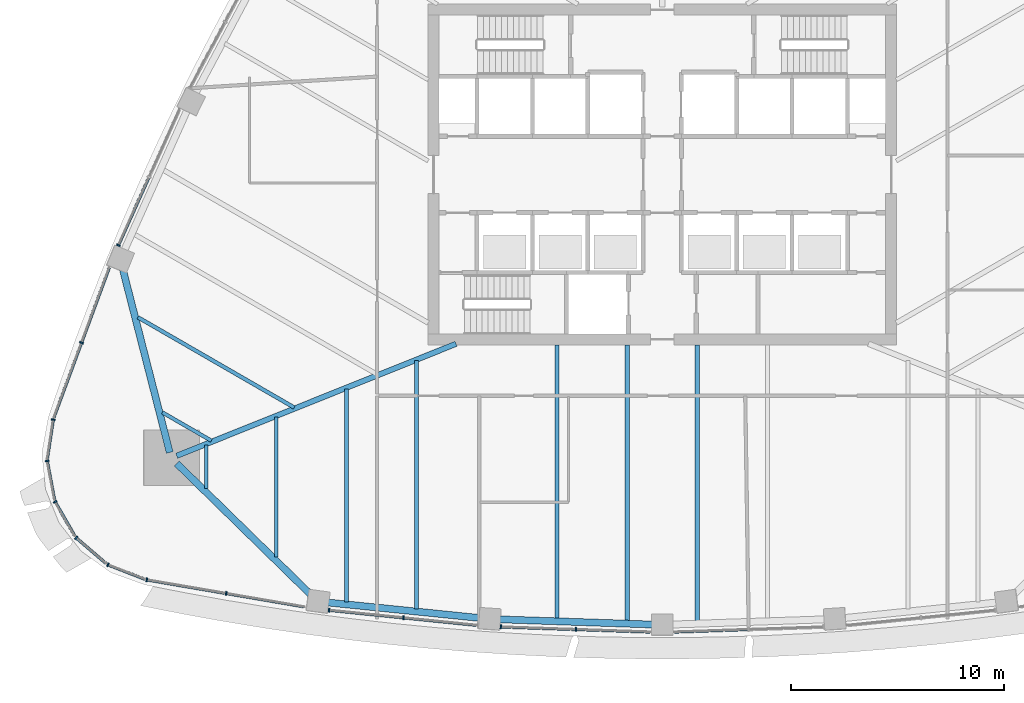
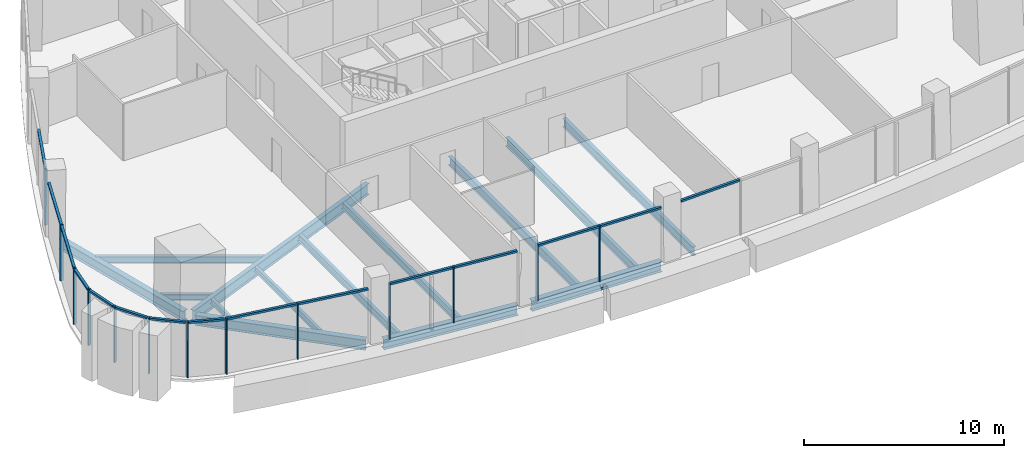
# One storey, part 2 of 16: 28 members, 14 beams, 11 elements without a shape of their own.
"""IFC4 building model written with IfcOpenShell, lengths in metres."""

from ifc_helpers import new_model, si_unit, direction, frame, origin, origin_2d, place, context, subcontext, project, spatial, rectangle, i_section, extrude, material, layer, layer_set, material_profile, profile_set, type_object, element, aggregate, save


model = new_model("IFC4")

# Units and contexts
model_context = context("Model", 3, precision=1e-05, world=origin(), true_north=direction((0.0, 1.0)))
body_context = subcontext(model_context, "Body", "Model", "MODEL_VIEW")
ifc_project = project(units=[si_unit("LENGTHUNIT", "METRE"), si_unit("AREAUNIT", "SQUARE_METRE"), si_unit("VOLUMEUNIT", "CUBIC_METRE"), si_unit("PLANEANGLEUNIT", "RADIAN"), si_unit("MASSUNIT", "GRAM", prefix="KILO")], contexts=[model_context])

# Site, building, storey
site_placement = place(None, origin())
site = spatial("IfcSite", under=ifc_project, at=site_placement, CompositionType="ELEMENT")
building_placement = place(site_placement, origin())
building = spatial("IfcBuilding", under=site, at=building_placement, Name="Sierra Prisma Convention Tower", CompositionType="ELEMENT")
storey_placement = place(building_placement, frame((0.0, 0.0, 197.800048828125)))
storey = spatial("IfcBuildingStorey", under=building, at=storey_placement, Name="L44", CompositionType="ELEMENT", Elevation=197.800048828125)

# Curtain wall, members
ifc_material_1 = material(Name="Aluminium and glass curtain wall", Category="aluminium")
ifc_layer = layer(ifc_material_1, 0.179931640625)
ifc_layer_set = layer_set([ifc_layer], Name="CW-1 Plain shaft curtain wall")
curtain_wall_type = type_object("IfcCurtainWallType", Name="CW-1 Plain shaft curtain wall", PredefinedType="NOTDEFINED", material=ifc_layer_set)
curtain_wall_1_placement = place(storey_placement, origin())
curtain_wall_1 = element("IfcCurtainWall", 1, at=curtain_wall_1_placement, inside=storey, type_object=curtain_wall_type, Name="CW-1 S1 L44", PredefinedType="NOTDEFINED")
ifc_material_2 = material(Name="Aluminium 6063-T6 bronze anodised", Category="aluminium")
ifc_material_profile_1 = material_profile(ifc_material_2, rectangle(XDim=0.179931640625, YDim=0.070068359375, at=origin_2d()), Name="ALU MULLION 70x180")
ifc_profile_set_1 = profile_set([ifc_material_profile_1], Name="Aluminium 6063-T6 bronze anodised")
member_type_1 = type_object("IfcMemberType", Name="CW mullion bronze", PredefinedType="MULLION", material=ifc_profile_set_1)
member_1_placement = place(storey_placement, frame((-24.21923828125, -19.043701171875, 0.0), z_axis=(0.0, 0.0, 1.0), x_axis=(0.168686984713, 0.985669671436, 0.0)))
member_1 = element("IfcMember", 2, at=member_1_placement, type_object=member_type_1, Name="CW-1 mullion S1.1", PredefinedType="MULLION", context=body_context, shape_type="SweptSolid", body=[
    extrude(rectangle(XDim=0.179931640625, YDim=0.070068359375, at=origin_2d()), origin(), (0.0, 0.0, 1.0), 3.39990234375),
])
member_2_placement = place(storey_placement, frame((-20.489013671875, -19.68212890625, 0.0), z_axis=(0.0, 0.0, 1.0), x_axis=(0.168686984713, 0.985669671436, 0.0)))
member_2 = element("IfcMember", 3, at=member_2_placement, type_object=member_type_1, Name="CW-1 mullion S1.2", PredefinedType="MULLION", context=body_context, shape_type="SweptSolid", body=[
    extrude(rectangle(XDim=0.179931640625, YDim=0.070068359375, at=origin_2d()), origin(), (0.0, 0.0, 1.0), 3.39990234375),
])

curtain_wall_2_placement = place(storey_placement, origin())
curtain_wall_2 = element("IfcCurtainWall", 4, at=curtain_wall_2_placement, inside=storey, type_object=curtain_wall_type, Name="CW-1 S2 L44", PredefinedType="NOTDEFINED")
member_3_placement = place(storey_placement, frame((-15.65478515625, -20.469482421875, 0.0), z_axis=(0.0, 0.0, 1.0), x_axis=(0.101523233919, 0.994833168413, 0.0)))
member_3 = element("IfcMember", 5, at=member_3_placement, type_object=member_type_1, Name="CW-1 mullion S2.1", PredefinedType="MULLION", context=body_context, shape_type="SweptSolid", body=[
    extrude(rectangle(XDim=0.179931640625, YDim=0.070068359375, at=origin_2d()), origin(), (0.0, 0.0, 1.0), 3.39990234375),
])
member_4_placement = place(storey_placement, frame((-12.16064453125, -20.826171875, 0.0), z_axis=(0.0, 0.0, 1.0), x_axis=(0.101523233919, 0.994833168413, 0.0)))
member_4 = element("IfcMember", 6, at=member_4_placement, type_object=member_type_1, Name="CW-1 mullion S2.2", PredefinedType="MULLION", context=body_context, shape_type="SweptSolid", body=[
    extrude(rectangle(XDim=0.179931640625, YDim=0.070068359375, at=origin_2d()), origin(), (0.0, 0.0, 1.0), 3.39990234375),
])

curtain_wall_3_placement = place(storey_placement, origin())
curtain_wall_3 = element("IfcCurtainWall", 7, at=curtain_wall_3_placement, inside=storey, type_object=curtain_wall_type, Name="CW-1 S3 L44", PredefinedType="NOTDEFINED")
member_5_placement = place(storey_placement, frame((-7.587158203125, -21.255615234375, 0.0), z_axis=(0.0, 0.0, 1.0), x_axis=(0.033892990048, 0.999425467569, 0.0)))
member_5 = element("IfcMember", 8, at=member_5_placement, type_object=member_type_1, Name="CW-1 mullion S3.1", PredefinedType="MULLION", context=body_context, shape_type="SweptSolid", body=[
    extrude(rectangle(XDim=0.179931640625, YDim=0.070068359375, at=origin_2d()), origin(), (0.0, 0.0, 1.0), 3.39990234375),
])
member_6_placement = place(storey_placement, frame((-4.06103515625, -21.375244140625, 0.0), z_axis=(0.0, 0.0, 1.0), x_axis=(0.033892990048, 0.999425467569, 0.0)))
member_6 = element("IfcMember", 9, at=member_6_placement, type_object=member_type_1, Name="CW-1 mullion S3.2", PredefinedType="MULLION", context=body_context, shape_type="SweptSolid", body=[
    extrude(rectangle(XDim=0.179931640625, YDim=0.070068359375, at=origin_2d()), origin(), (0.0, 0.0, 1.0), 3.39990234375),
])

# Curtain wall, member
curtain_wall_4_placement = place(storey_placement, origin())
curtain_wall_4 = element("IfcCurtainWall", 10, at=curtain_wall_4_placement, inside=storey, type_object=curtain_wall_type, Name="CW-1 NW5 L44", PredefinedType="NOTDEFINED")
member_7_placement = place(storey_placement, frame((-25.5546875, -3.32275390625, 0.0), z_axis=(0.0, 0.0, 1.0), x_axis=(0.912312413332, -0.409494884559, 0.0)))
member_7 = element("IfcMember", 11, at=member_7_placement, type_object=member_type_1, Name="CW-1 mullion NW5.3", PredefinedType="MULLION", context=body_context, shape_type="SweptSolid", body=[
    extrude(rectangle(XDim=0.179931640625, YDim=0.070068359375, at=origin_2d()), origin(), (0.0, 0.0, 1.0), 3.39990234375),
])

curtain_wall_5_placement = place(storey_placement, origin())
curtain_wall_5 = element("IfcCurtainWall", 12, at=curtain_wall_5_placement, inside=storey, type_object=curtain_wall_type, Name="CW-1 NW6 L44", PredefinedType="NOTDEFINED")
member_8_placement = place(storey_placement, frame((-27.28955078125, -7.90283203125, 0.0), z_axis=(0.0, 0.0, 1.0), x_axis=(0.93795846756, -0.346747621669, 0.0)))
member_8 = element("IfcMember", 13, at=member_8_placement, type_object=member_type_1, Name="CW-1 mullion NW6.2", PredefinedType="MULLION", context=body_context, shape_type="SweptSolid", body=[
    extrude(rectangle(XDim=0.179931640625, YDim=0.070068359375, at=origin_2d()), origin(), (0.0, 0.0, 1.0), 3.39990234375),
])

curtain_wall_6_placement = place(storey_placement, origin())
curtain_wall_6 = element("IfcCurtainWall", 14, at=curtain_wall_6_placement, inside=storey, type_object=curtain_wall_type, Name="CW-1 SW1 L44", PredefinedType="NOTDEFINED")
member_9_placement = place(storey_placement, frame((-28.619384765625, -11.52001953125, 0.0), z_axis=(0.0, 0.0, 1.0), x_axis=(0.988554597967, -0.150863537142, 0.0)))
member_9 = element("IfcMember", 15, at=member_9_placement, type_object=member_type_1, Name="CW-1 mullion SW1.1", PredefinedType="MULLION", context=body_context, shape_type="SweptSolid", body=[
    extrude(rectangle(XDim=0.179931640625, YDim=0.070068359375, at=origin_2d()), origin(), (0.0, 0.0, 1.0), 3.39990234375),
])

curtain_wall_7_placement = place(storey_placement, origin())
curtain_wall_7 = element("IfcCurtainWall", 16, at=curtain_wall_7_placement, inside=storey, type_object=curtain_wall_type, Name="CW-1 SW2 L44", PredefinedType="NOTDEFINED")
member_10_placement = place(storey_placement, frame((-28.9033203125, -13.457763671875, 0.0), z_axis=(0.0, 0.0, 1.0), x_axis=(0.982737290286, 0.185006535779, 0.0)))
member_10 = element("IfcMember", 17, at=member_10_placement, type_object=member_type_1, Name="CW-1 mullion SW2.1", PredefinedType="MULLION", context=body_context, shape_type="SweptSolid", body=[
    extrude(rectangle(XDim=0.179931640625, YDim=0.070068359375, at=origin_2d()), origin(), (0.0, 0.0, 1.0), 3.39990234375),
])

curtain_wall_8_placement = place(storey_placement, origin())
curtain_wall_8 = element("IfcCurtainWall", 18, at=curtain_wall_8_placement, inside=storey, type_object=curtain_wall_type, Name="CW-1 SW3 L44", PredefinedType="NOTDEFINED")
member_11_placement = place(storey_placement, frame((-28.529541015625, -15.380126953125, 0.0), z_axis=(0.0, 0.0, 1.0), x_axis=(0.866025403784, 0.5, 0.0)))
member_11 = element("IfcMember", 19, at=member_11_placement, type_object=member_type_1, Name="CW-1 mullion SW3.1", PredefinedType="MULLION", context=body_context, shape_type="SweptSolid", body=[
    extrude(rectangle(XDim=0.179931640625, YDim=0.070068359375, at=origin_2d()), origin(), (0.0, 0.0, 1.0), 3.39990234375),
])

curtain_wall_9_placement = place(storey_placement, origin())
curtain_wall_9 = element("IfcCurtainWall", 20, at=curtain_wall_9_placement, inside=storey, type_object=curtain_wall_type, Name="CW-1 SW4 L44", PredefinedType="NOTDEFINED")
member_12_placement = place(storey_placement, frame((-27.540283203125, -17.0703125, 0.0), z_axis=(0.0, 0.0, 1.0), x_axis=(0.651589004994, 0.758572190744, 0.0)))
member_12 = element("IfcMember", 21, at=member_12_placement, type_object=member_type_1, Name="CW-1 mullion SW4.1", PredefinedType="MULLION", context=body_context, shape_type="SweptSolid", body=[
    extrude(rectangle(XDim=0.179931640625, YDim=0.070068359375, at=origin_2d()), origin(), (0.0, 0.0, 1.0), 3.39990234375),
])

curtain_wall_10_placement = place(storey_placement, origin())
curtain_wall_10 = element("IfcCurtainWall", 22, at=curtain_wall_10_placement, inside=storey, type_object=curtain_wall_type, Name="CW-1 SW5 L44", PredefinedType="NOTDEFINED")
member_13_placement = place(storey_placement, frame((-26.04736328125, -18.337646484375, 0.0), z_axis=(0.0, 0.0, 1.0), x_axis=(0.363625643314, 0.931545163438, 0.0)))
member_13 = element("IfcMember", 23, at=member_13_placement, type_object=member_type_1, Name="CW-1 mullion SW5.1", PredefinedType="MULLION", context=body_context, shape_type="SweptSolid", body=[
    extrude(rectangle(XDim=0.179931640625, YDim=0.070068359375, at=origin_2d()), origin(), (0.0, 0.0, 1.0), 3.39990234375),
])

# Member
ifc_material_3 = material(Name="Aluminium 6063-T6 bronze anodised", Category="aluminium")
ifc_material_profile_2 = material_profile(ifc_material_3, rectangle(XDim=0.139892578125, YDim=0.1201171875, at=origin_2d()), Name="ALU TRANSOM 120x140")
ifc_profile_set_2 = profile_set([ifc_material_profile_2], Name="Aluminium 6063-T6 bronze anodised")
member_type_2 = type_object("IfcMemberType", Name="CW transom bronze", PredefinedType="USERDEFINED", material=ifc_profile_set_2)
member_14_placement = place(storey_placement, frame((-24.184814453125, -19.049560546875, 3.33984375), z_axis=(0.985665066309, -0.168713891126, 0.0), x_axis=(0.168713891126, 0.985665066309, 0.0)))
member_14 = element("IfcMember", 24, at=member_14_placement, type_object=member_type_2, Name="CW-1 transom S1.1", ObjectType="TRANSOM", PredefinedType="USERDEFINED", context=body_context, shape_type="SweptSolid", body=[
    extrude(rectangle(XDim=0.139892578125, YDim=0.1201171875, at=origin_2d()), origin(), (0.0, 0.0, 1.0), 3.714599609375),
])

member_15_placement = place(storey_placement, frame((-20.45458984375, -19.68798828125, 3.33984375), z_axis=(0.985675993984, -0.168650036712, 0.0), x_axis=(0.168650036712, 0.985675993984, 0.0)))
member_15 = element("IfcMember", 25, at=member_15_placement, type_object=member_type_2, Name="CW-1 transom S1.2", ObjectType="TRANSOM", PredefinedType="USERDEFINED", context=body_context, shape_type="SweptSolid", body=[
    extrude(rectangle(XDim=0.139892578125, YDim=0.1201171875, at=origin_2d()), origin(), (0.0, 0.0, 1.0), 3.714599609375),
])

aggregate(curtain_wall_1, [member_1, member_2, member_14, member_15])

member_16_placement = place(storey_placement, frame((-15.6201171875, -20.47314453125, 3.33984375), z_axis=(0.99483648103, -0.101490768115, 0.0), x_axis=(0.101490768115, 0.99483648103, 0.0)))
member_16 = element("IfcMember", 26, at=member_16_placement, type_object=member_type_2, Name="CW-1 transom S2.1", ObjectType="TRANSOM", PredefinedType="USERDEFINED", context=body_context, shape_type="SweptSolid", body=[
    extrude(rectangle(XDim=0.139892578125, YDim=0.1201171875, at=origin_2d()), origin(), (0.0, 0.0, 1.0), 3.4423828125),
])

member_17_placement = place(storey_placement, frame((-12.1259765625, -20.82958984375, 3.33984375), z_axis=(0.994829317746, -0.101560959793, 0.0), x_axis=(0.101560959793, 0.994829317746, 0.0)))
member_17 = element("IfcMember", 27, at=member_17_placement, type_object=member_type_2, Name="CW-1 transom S2.2", ObjectType="TRANSOM", PredefinedType="USERDEFINED", context=body_context, shape_type="SweptSolid", body=[
    extrude(rectangle(XDim=0.139892578125, YDim=0.1201171875, at=origin_2d()), origin(), (0.0, 0.0, 1.0), 3.4423828125),
])

aggregate(curtain_wall_2, [member_3, member_4, member_16, member_17])

member_18_placement = place(storey_placement, frame((-7.55224609375, -21.2568359375, 3.33984375), z_axis=(0.999425704029, -0.033886016666, 0.0), x_axis=(0.033886016666, 0.999425704029, 0.0)))
member_18 = element("IfcMember", 28, at=member_18_placement, type_object=member_type_2, Name="CW-1 transom S3.1", ObjectType="TRANSOM", PredefinedType="USERDEFINED", context=body_context, shape_type="SweptSolid", body=[
    extrude(rectangle(XDim=0.139892578125, YDim=0.1201171875, at=origin_2d()), origin(), (0.0, 0.0, 1.0), 3.458251953125),
])

member_19_placement = place(storey_placement, frame((-4.02587890625, -21.376220703125, 3.33984375), z_axis=(0.999423310709, -0.033956531218, 0.0), x_axis=(0.033956531218, 0.999423310709, 0.0)))
member_19 = element("IfcMember", 29, at=member_19_placement, type_object=member_type_2, Name="CW-1 transom S3.2", ObjectType="TRANSOM", PredefinedType="USERDEFINED", context=body_context, shape_type="SweptSolid", body=[
    extrude(rectangle(XDim=0.139892578125, YDim=0.1201171875, at=origin_2d()), origin(), (0.0, 0.0, 1.0), 3.458251953125),
])

aggregate(curtain_wall_3, [member_5, member_6, member_18, member_19])

# Curtain wall, member
curtain_wall_11_placement = place(storey_placement, origin())
curtain_wall_11 = element("IfcCurtainWall", 30, at=curtain_wall_11_placement, inside=storey, type_object=curtain_wall_type, Name="CW-1 S4 L44", PredefinedType="NOTDEFINED")
member_20_placement = place(storey_placement, frame((0.569580078125, -21.49365234375, 3.33984375), z_axis=(0.999423310709, 0.033956531218, 0.0), x_axis=(-0.033956531218, 0.999423310709, 0.0)))
member_20 = element("IfcMember", 31, at=member_20_placement, type_object=member_type_2, Name="CW-1 transom S4.1", ObjectType="TRANSOM", PredefinedType="USERDEFINED", context=body_context, shape_type="SweptSolid", body=[
    extrude(rectangle(XDim=0.139892578125, YDim=0.1201171875, at=origin_2d()), origin(), (0.0, 0.0, 1.0), 3.458251953125),
])
aggregate(curtain_wall_11, [member_20])

# Member
member_21_placement = place(storey_placement, frame((-24.130615234375, -0.150390625, 3.33984375), z_axis=(-0.409518124924, -0.912301981451, 0.0), x_axis=(0.912301981451, -0.409518124924, 0.0)))
member_21 = element("IfcMember", 32, at=member_21_placement, type_object=member_type_2, Name="CW-1 transom NW5.2", ObjectType="TRANSOM", PredefinedType="USERDEFINED", context=body_context, shape_type="SweptSolid", body=[
    extrude(rectangle(XDim=0.139892578125, YDim=0.1201171875, at=origin_2d()), origin(), (0.0, 0.0, 1.0), 3.442138671875),
])

aggregate(curtain_wall_4, [member_7, member_21])

member_22_placement = place(storey_placement, frame((-25.989501953125, -4.385986328125, 3.33984375), z_axis=(-0.346762020219, -0.93795314453, 0.0), x_axis=(0.93795314453, -0.346762020219, 0.0)))
member_22 = element("IfcMember", 33, at=member_22_placement, type_object=member_type_2, Name="CW-1 transom NW6.1", ObjectType="TRANSOM", PredefinedType="USERDEFINED", context=body_context, shape_type="SweptSolid", body=[
    extrude(rectangle(XDim=0.139892578125, YDim=0.1201171875, at=origin_2d()), origin(), (0.0, 0.0, 1.0), 3.714599609375),
])

member_23_placement = place(storey_placement, frame((-27.3017578125, -7.935791015625, 3.33984375), z_axis=(-0.346762020219, -0.93795314453, 0.0), x_axis=(0.93795314453, -0.346762020219, 0.0)))
member_23 = element("IfcMember", 34, at=member_23_placement, type_object=member_type_2, Name="CW-1 transom NW6.2", ObjectType="TRANSOM", PredefinedType="USERDEFINED", context=body_context, shape_type="SweptSolid", body=[
    extrude(rectangle(XDim=0.139892578125, YDim=0.1201171875, at=origin_2d()), origin(), (0.0, 0.0, 1.0), 3.714599609375),
])

aggregate(curtain_wall_5, [member_8, member_22, member_23])

member_24_placement = place(storey_placement, frame((-28.62451171875, -11.5546875, 3.33984375), z_axis=(-0.150877960427, -0.988552396718, 0.0), x_axis=(0.988552396718, -0.150877960427, 0.0)))
member_24 = element("IfcMember", 35, at=member_24_placement, type_object=member_type_2, Name="CW-1 transom SW1.1", ObjectType="TRANSOM", PredefinedType="USERDEFINED", context=body_context, shape_type="SweptSolid", body=[
    extrude(rectangle(XDim=0.139892578125, YDim=0.1201171875, at=origin_2d()), origin(), (0.0, 0.0, 1.0), 1.8203125),
])

aggregate(curtain_wall_6, [member_9, member_24])

member_25_placement = place(storey_placement, frame((-28.896728515625, -13.4921875, 3.33984375), z_axis=(0.184960643597, -0.982745928671, 0.0), x_axis=(0.982745928671, 0.184960643597, 0.0)))
member_25 = element("IfcMember", 36, at=member_25_placement, type_object=member_type_2, Name="CW-1 transom SW2.1", ObjectType="TRANSOM", PredefinedType="USERDEFINED", context=body_context, shape_type="SweptSolid", body=[
    extrude(rectangle(XDim=0.139892578125, YDim=0.1201171875, at=origin_2d()), origin(), (0.0, 0.0, 1.0), 1.8203125),
])

aggregate(curtain_wall_7, [member_10, member_25])

member_26_placement = place(storey_placement, frame((-28.51220703125, -15.410400390625, 3.33984375), z_axis=(0.499946889248, -0.86605606512, 0.0), x_axis=(0.86605606512, 0.499946889248, 0.0)))
member_26 = element("IfcMember", 37, at=member_26_placement, type_object=member_type_2, Name="CW-1 transom SW3.1", ObjectType="TRANSOM", PredefinedType="USERDEFINED", context=body_context, shape_type="SweptSolid", body=[
    extrude(rectangle(XDim=0.139892578125, YDim=0.1201171875, at=origin_2d()), origin(), (0.0, 0.0, 1.0), 1.820556640625),
])

aggregate(curtain_wall_8, [member_11, member_26])

member_27_placement = place(storey_placement, frame((-27.513916015625, -17.09326171875, 3.33984375), z_axis=(0.758593488697, -0.651564209351, 0.0), x_axis=(0.651564209351, 0.758593488697, 0.0)))
member_27 = element("IfcMember", 38, at=member_27_placement, type_object=member_type_2, Name="CW-1 transom SW4.1", ObjectType="TRANSOM", PredefinedType="USERDEFINED", context=body_context, shape_type="SweptSolid", body=[
    extrude(rectangle(XDim=0.139892578125, YDim=0.1201171875, at=origin_2d()), origin(), (0.0, 0.0, 1.0), 1.8203125),
])

aggregate(curtain_wall_9, [member_12, member_27])

member_28_placement = place(storey_placement, frame((-26.0146484375, -18.350341796875, 3.33984375), z_axis=(0.931561001301, -0.363585066877, 0.0), x_axis=(0.363585066877, 0.931561001301, 0.0)))
member_28 = element("IfcMember", 39, at=member_28_placement, type_object=member_type_2, Name="CW-1 transom SW5.1", ObjectType="TRANSOM", PredefinedType="USERDEFINED", context=body_context, shape_type="SweptSolid", body=[
    extrude(rectangle(XDim=0.139892578125, YDim=0.1201171875, at=origin_2d()), origin(), (0.0, 0.0, 1.0), 1.8203125),
])

aggregate(curtain_wall_10, [member_13, member_28])

# Beams
ifc_material_4 = material(Name="Steel ASTM A992 Gr 50", Category="steel")
ifc_material_profile_3 = material_profile(ifc_material_4, i_section(OverallWidth=0.172119140625, OverallDepth=0.35791015625, WebThickness=0.0078125, FlangeThickness=0.01318359375, at=origin_2d()), Name="W360x57")
ifc_profile_set_3 = profile_set([ifc_material_profile_3], Name="Steel ASTM A992 Gr 50")
beam_type_1 = type_object("IfcBeamType", Name="Floor joist W360x57", PredefinedType="JOIST", material=ifc_profile_set_3)
beam_1_placement = place(storey_placement, frame((-21.4267578125, -14.757568359375, -0.3291015625), z_axis=(0.0, 1.0, 0.0), x_axis=(-1.0, 0.0, 0.0)))
element("IfcBeam", 40, at=beam_1_placement, inside=storey, type_object=beam_type_1, Name="Floor joist L44 S01", PredefinedType="JOIST", context=body_context, shape_type="SweptSolid", body=[
    extrude(i_section(OverallWidth=0.172119140625, OverallDepth=0.35791015625, WebThickness=0.0078125, FlangeThickness=0.01318359375, at=origin_2d()), origin(), (0.0, 0.0, 1.0), 2.041259765625),
])
beam_2_placement = place(storey_placement, frame((-18.13037109375, -17.982421875, -0.3291015625), z_axis=(0.0, 1.0, 0.0), x_axis=(-1.0, 0.0, 0.0)))
element("IfcBeam", 41, at=beam_2_placement, inside=storey, type_object=beam_type_1, Name="Floor joist L44 S02", PredefinedType="JOIST", context=body_context, shape_type="SweptSolid", body=[
    extrude(i_section(OverallWidth=0.172119140625, OverallDepth=0.35791015625, WebThickness=0.0078125, FlangeThickness=0.01318359375, at=origin_2d()), origin(), (0.0, 0.0, 1.0), 6.587890625),
])
beam_3_placement = place(storey_placement, frame((-23.49365234375, -11.17724609375, -0.3291015625), z_axis=(0.865996425285, -0.500050188875, 0.0), x_axis=(0.500050188875, 0.865996425285, 0.0)))
element("IfcBeam", 42, at=beam_3_placement, inside=storey, type_object=beam_type_1, Name="Floor joist L44 NW14", PredefinedType="JOIST", context=body_context, shape_type="SweptSolid", body=[
    extrude(i_section(OverallWidth=0.172119140625, OverallDepth=0.35791015625, WebThickness=0.0078125, FlangeThickness=0.01318359375, at=origin_2d()), origin(), (0.0, 0.0, 1.0), 2.665283203125),
])
ifc_material_5 = material(Name="Steel ASTM A992 Gr 50", Category="steel")
ifc_material_profile_4 = material_profile(ifc_material_5, i_section(OverallWidth=0.177978515625, OverallDepth=0.406982421875, WebThickness=0.0078125, FlangeThickness=0.0126953125, at=origin_2d()), Name="W410x60")
ifc_profile_set_4 = profile_set([ifc_material_profile_4], Name="Steel ASTM A992 Gr 50")
beam_type_2 = type_object("IfcBeamType", Name="Floor joist W410x60", PredefinedType="JOIST", material=ifc_profile_set_4)
beam_4_placement = place(storey_placement, frame((-24.638427734375, -6.7099609375, -0.353515625), z_axis=(0.866021615095, -0.500006562146, 0.0), x_axis=(0.500006562146, 0.866021615095, 0.0)))
element("IfcBeam", 43, at=beam_4_placement, inside=storey, type_object=beam_type_2, Name="Floor joist L44 NW13", PredefinedType="JOIST", context=body_context, shape_type="SweptSolid", body=[
    extrude(i_section(OverallWidth=0.177978515625, OverallDepth=0.406982421875, WebThickness=0.0078125, FlangeThickness=0.0126953125, at=origin_2d()), origin(), (0.0, 0.0, 1.0), 8.47998046875),
])
ifc_material_6 = material(Name="Steel ASTM A992 Gr 50", Category="steel")
ifc_material_profile_5 = material_profile(ifc_material_6, i_section(OverallWidth=0.18994140625, OverallDepth=0.45703125, WebThickness=0.009033203125, FlangeThickness=0.014404296875, at=origin_2d()), Name="W460x74")
ifc_profile_set_5 = profile_set([ifc_material_profile_5], Name="Steel ASTM A992 Gr 50")
beam_type_3 = type_object("IfcBeamType", Name="Floor joist W460x74", PredefinedType="JOIST", material=ifc_profile_set_5)
beam_5_placement = place(storey_placement, frame((-14.833984375, -20.08837890625, -0.378662109375), z_axis=(0.0, 1.0, 0.0), x_axis=(-1.0, 0.0, 0.0)))
element("IfcBeam", 44, at=beam_5_placement, inside=storey, type_object=beam_type_3, Name="Floor joist L44 S03", PredefinedType="JOIST", context=body_context, shape_type="SweptSolid", body=[
    extrude(i_section(OverallWidth=0.18994140625, OverallDepth=0.45703125, WebThickness=0.009033203125, FlangeThickness=0.014404296875, at=origin_2d()), origin(), (0.0, 0.0, 1.0), 10.015380859375),
])
beam_6_placement = place(storey_placement, frame((-11.53759765625, -20.4248046875, -0.378662109375), z_axis=(0.0, 1.0, 0.0), x_axis=(-1.0, 0.0, 0.0)))
element("IfcBeam", 45, at=beam_6_placement, inside=storey, type_object=beam_type_3, Name="Floor joist L44 S04", PredefinedType="JOIST", context=body_context, shape_type="SweptSolid", body=[
    extrude(i_section(OverallWidth=0.18994140625, OverallDepth=0.45703125, WebThickness=0.009033203125, FlangeThickness=0.014404296875, at=origin_2d()), origin(), (0.0, 0.0, 1.0), 11.673583984375),
])
ifc_material_7 = material(Name="Steel ASTM A992 Gr 50", Category="steel")
ifc_material_profile_6 = material_profile(ifc_material_7, i_section(OverallWidth=0.208984375, OverallDepth=0.532958984375, WebThickness=0.01025390625, FlangeThickness=0.015625, at=origin_2d()), Name="W530x92")
ifc_profile_set_6 = profile_set([ifc_material_profile_6], Name="Steel ASTM A992 Gr 50")
beam_type_4 = type_object("IfcBeamType", Name="Floor joist W530x92", PredefinedType="JOIST", material=ifc_profile_set_6)
beam_7_placement = place(storey_placement, frame((-4.944580078125, -20.882568359375, -0.41650390625), z_axis=(0.0, 1.0, 0.0), x_axis=(-1.0, 0.0, 0.0)))
element("IfcBeam", 46, at=beam_7_placement, inside=storey, type_object=beam_type_4, Name="Floor joist L44 S06", PredefinedType="JOIST", context=body_context, shape_type="SweptSolid", body=[
    extrude(i_section(OverallWidth=0.208984375, OverallDepth=0.532958984375, WebThickness=0.01025390625, FlangeThickness=0.015625, at=origin_2d()), origin(), (0.0, 0.0, 1.0), 12.882568359375),
])
for number, where, z_axis, x_axis, name in (
    (47, (-1.648193359375, -20.994384765625, -0.41650390625), (0.0, 1.0, 0.0), (-1.0, 0.0, 0.0), "Floor joist L44 S07"),
    (48, (1.648193359375, -20.994384765625, -0.41650390625), (0.0, 1.0, 0.0), (-1.0, 0.0, 0.0), "Floor joist L44 S08"),
):
    element("IfcBeam", number, at=place(storey_placement, frame(where, z_axis=z_axis, x_axis=x_axis)), inside=storey, type_object=beam_type_4, Name=name, PredefinedType="JOIST", context=body_context, shape_type="SweptSolid", body=[
        extrude(i_section(OverallWidth=0.208984375, OverallDepth=0.532958984375, WebThickness=0.01025390625, FlangeThickness=0.015625, at=origin_2d()), origin(), (0.0, 0.0, 1.0), 12.994384765625),
    ])
ifc_material_8 = material(Name="Steel ASTM A992 Gr 50", Category="steel")
ifc_material_profile_7 = material_profile(ifc_material_8, i_section(OverallWidth=0.25390625, OverallDepth=0.68408203125, WebThickness=0.012451171875, FlangeThickness=0.018798828125, at=origin_2d()), Name="W690x140")
ifc_profile_set_7 = profile_set([ifc_material_profile_7], Name="Steel ASTM A992 Gr 50")
beam_type_5 = type_object("IfcBeamType", Name="Radial girder W690x140", PredefinedType="BEAM", material=ifc_profile_set_7)
beam_8_placement = place(storey_placement, frame((-22.81494140625, -13.218017578125, -0.491943359375), z_axis=(0.92817874401, 0.372134678804, 0.0), x_axis=(-0.372134678804, 0.92817874401, 0.0)))
element("IfcBeam", 49, at=beam_8_placement, inside=storey, type_object=beam_type_5, Name="Radial girder L44 SW", PredefinedType="BEAM", context=body_context, shape_type="SweptSolid", body=[
    extrude(i_section(OverallWidth=0.25390625, OverallDepth=0.68408203125, WebThickness=0.012451171875, FlangeThickness=0.018798828125, at=origin_2d()), origin(), (0.0, 0.0, 1.0), 14.141845703125),
])
ifc_material_9 = material(Name="Steel ASTM A992 Gr 50", Category="steel")
ifc_material_profile_8 = material_profile(ifc_material_9, i_section(OverallWidth=0.324951171875, OverallDepth=0.615966796875, WebThickness=0.013916015625, FlangeThickness=0.021484375, at=origin_2d()), Name="W610x174")
ifc_profile_set_8 = profile_set([ifc_material_profile_8], Name="Steel ASTM A992 Gr 50")
beam_type_6 = type_object("IfcBeamType", Name="Spandrel beam W610x174", PredefinedType="BEAM", material=ifc_profile_set_8)
beam_9_placement = place(storey_placement, frame((-22.81494140625, -13.57666015625, -0.4580078125), z_axis=(0.714814067432, -0.699314556549, 0.0), x_axis=(0.699314556549, 0.714814067432, 0.0)))
element("IfcBeam", 50, at=beam_9_placement, inside=storey, type_object=beam_type_6, Name="Spandrel L44-01", PredefinedType="BEAM", context=body_context, shape_type="SweptSolid", body=[
    extrude(i_section(OverallWidth=0.324951171875, OverallDepth=0.615966796875, WebThickness=0.013916015625, FlangeThickness=0.021484375, at=origin_2d()), origin(), (0.0, 0.0, 1.0), 8.773681640625),
])
for number, where, z_axis, x_axis, name in (
    (51, (-15.8056640625, -20.1025390625, -0.4580078125), (0.994834347777, -0.101511676583, 0.0), (0.101511676583, 0.994834347777, 0.0), "Spandrel L44-02"),
    (52, (-7.730712890625, -20.900634765625, -0.4580078125), (0.999425508905, -0.03389177111, 0.0), (0.03389177111, 0.999425508905, 0.0), "Spandrel L44-03"),
):
    element("IfcBeam", number, at=place(storey_placement, frame(where, z_axis=z_axis, x_axis=x_axis)), inside=storey, type_object=beam_type_6, Name=name, PredefinedType="BEAM", context=body_context, shape_type="SweptSolid", body=[
        extrude(i_section(OverallWidth=0.324951171875, OverallDepth=0.615966796875, WebThickness=0.013916015625, FlangeThickness=0.021484375, at=origin_2d()), origin(), (0.0, 0.0, 1.0), 7.354736328125),
    ])
beam_10_placement = place(storey_placement, frame((-25.343017578125, -4.470947265625, -0.4580078125), z_axis=(0.248218382374, -0.968704100668, 0.0), x_axis=(0.968704100668, 0.248218382374, 0.0)))
element("IfcBeam", 53, at=beam_10_placement, inside=storey, type_object=beam_type_6, Name="Spandrel L44-18", PredefinedType="BEAM", context=body_context, shape_type="SweptSolid", body=[
    extrude(i_section(OverallWidth=0.324951171875, OverallDepth=0.615966796875, WebThickness=0.013916015625, FlangeThickness=0.021484375, at=origin_2d()), origin(), (0.0, 0.0, 1.0), 8.868896484375),
])

save(model, "model.ifc")
